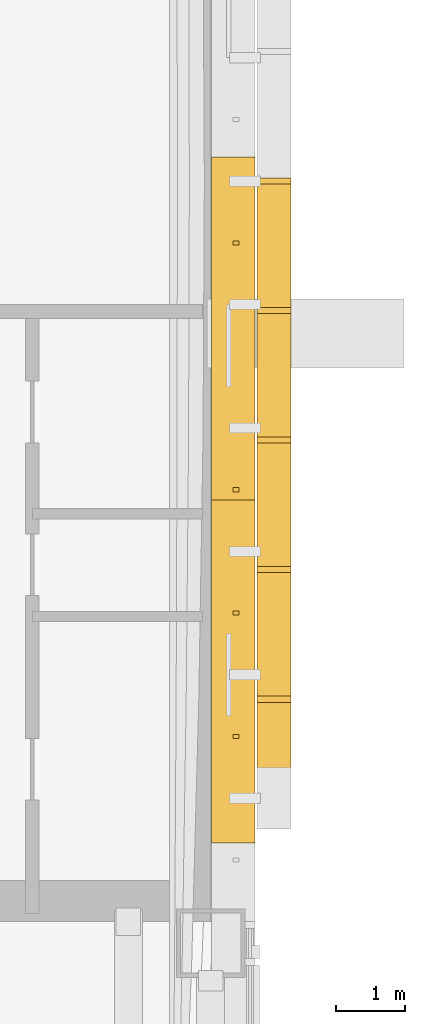
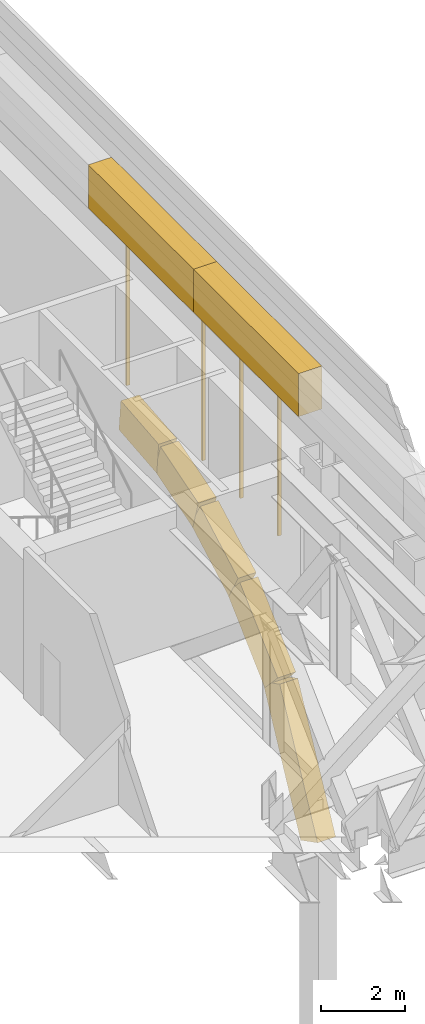
# One storey, part 29 of 39: 11 coverings.
"""IFC4 building model written with IfcOpenShell, lengths in metres."""

from ifc_helpers import new_model, si_unit, direction, frame, origin, origin_2d, place, context, subcontext, project, spatial, polyline, rectangle, outline, extrude, material, material_profile, profile_set, type_object, element, save


model = new_model("IFC4")

# Units and contexts
model_context = context("Model", 3, precision=1e-05, world=origin(), true_north=direction((0.0, 1.0)))
body_context = subcontext(model_context, "Body", "Model", "MODEL_VIEW")
ifc_project = project(units=[si_unit("LENGTHUNIT", "METRE"), si_unit("AREAUNIT", "SQUARE_METRE"), si_unit("VOLUMEUNIT", "CUBIC_METRE"), si_unit("PLANEANGLEUNIT", "RADIAN"), si_unit("MASSUNIT", "GRAM", prefix="KILO")], contexts=[model_context])

# Site, building, storey
site_placement = place(None, origin())
site = spatial("IfcSite", under=ifc_project, at=site_placement, CompositionType="ELEMENT")
building_placement = place(site_placement, origin())
building = spatial("IfcBuilding", under=site, at=building_placement, Name="Cobrizo Arcos Hotel Tower", CompositionType="ELEMENT")
storey_placement = place(building_placement, frame((0.0, 0.0, 84.5)))
storey = spatial("IfcBuildingStorey", under=building, at=storey_placement, Name="L20", CompositionType="ELEMENT", Elevation=84.5)

# Coverings
ifc_material = material(Name="Aluminium 6063-T6 anodised pale", Category="aluminium")
ifc_material_profile = material_profile(ifc_material, rectangle(XDim=0.5, YDim=0.89990234375, at=origin_2d()), Name="AF-2 core arch rim 500x900")
ifc_profile_set = profile_set([ifc_material_profile], Name="Aluminium 6063-T6 anodised pale")
covering_type_1 = type_object("IfcCoveringType", Name="AF-2 core arch rim 500x900", PredefinedType="CLADDING", material=ifc_profile_set)
covering_1_placement = place(storey_placement, frame((24.925048828125, -9.0, -8.460205078125), z_axis=(0.0, 0.455923660176, 0.890018885245), x_axis=(-1.0, 0.0, 0.0)))
element("IfcCovering", 1, at=covering_1_placement, inside=storey, type_object=covering_type_1, Name="Arch rim A E face", PredefinedType="CLADDING", context=body_context, shape_type="SweptSolid", body=[
    extrude(rectangle(XDim=0.5, YDim=0.89990234375, at=origin_2d()), origin(), (0.0, 0.0, 1.0), 3.9482421875),
])
covering_2_placement = place(storey_placement, frame((24.925048828125, -7.199951171875, -4.9462890625), z_axis=(0.0, 0.73088053178, 0.682505419952), x_axis=(-1.0, 0.0, 0.0)))
element("IfcCovering", 2, at=covering_2_placement, inside=storey, type_object=covering_type_1, Name="Arch rim A E face", PredefinedType="CLADDING", context=body_context, shape_type="SweptSolid", body=[
    extrude(rectangle(XDim=0.5, YDim=0.89990234375, at=origin_2d()), origin(), (0.0, 0.0, 1.0), 2.462890625),
])
covering_3_placement = place(storey_placement, frame((24.925048828125, -5.39990234375, -3.265380859375), z_axis=(0.0, 0.873832790044, 0.486226547037), x_axis=(-1.0, 0.0, 0.0)))
element("IfcCovering", 3, at=covering_3_placement, inside=storey, type_object=covering_type_1, Name="Arch rim A E face", PredefinedType="CLADDING", context=body_context, shape_type="SweptSolid", body=[
    extrude(rectangle(XDim=0.5, YDim=0.89990234375, at=origin_2d()), origin(), (0.0, 0.0, 1.0), 2.0595703125),
])
covering_4_placement = place(storey_placement, frame((24.925048828125, -3.60009765625, -2.263916015625), z_axis=(0.0, 0.956599999026, 0.291404258485), x_axis=(-1.0, 0.0, 0.0)))
element("IfcCovering", 4, at=covering_4_placement, inside=storey, type_object=covering_type_1, Name="Arch rim A E face", PredefinedType="CLADDING", context=body_context, shape_type="SweptSolid", body=[
    extrude(rectangle(XDim=0.5, YDim=0.89990234375, at=origin_2d()), origin(), (0.0, 0.0, 1.0), 1.8818359375),
])
covering_5_placement = place(storey_placement, frame((24.925048828125, -1.800048828125, -1.715576171875), z_axis=(0.0, 0.995278769418, 0.097057566148), x_axis=(-1.0, 0.0, 0.0)))
element("IfcCovering", 5, at=covering_5_placement, inside=storey, type_object=covering_type_1, Name="Arch rim A E face", PredefinedType="CLADDING", context=body_context, shape_type="SweptSolid", body=[
    extrude(rectangle(XDim=0.5, YDim=0.89990234375, at=origin_2d()), origin(), (0.0, 0.0, 1.0), 1.80859375),
])
covering_type_2 = type_object("IfcCoveringType", Name="LF-1 setback skirt", PredefinedType="CLADDING", material=ifc_material)
covering_6_placement = place(storey_placement, frame((0.0, 0.0, 4.5)))
element("IfcCovering", 6, at=covering_6_placement, inside=storey, type_object=covering_type_2, Name="Setback skirt L20", PredefinedType="CLADDING", context=body_context, shape_type="SweptSolid", body=[
    extrude(outline(polyline([(24.64990234375, -9.64990234375), (24.64990234375, -4.64990234375), (24.010009765625, -4.64990234375), (24.010009765625, -9.64990234375), (24.64990234375, -9.64990234375)])), origin(), (0.0, 0.0, 1.0), 1.25),
])
covering_7_placement = place(storey_placement, frame((0.0, 0.0, 4.5)))
element("IfcCovering", 7, at=covering_7_placement, inside=storey, type_object=covering_type_2, Name="Setback skirt L20", PredefinedType="CLADDING", context=body_context, shape_type="SweptSolid", body=[
    extrude(outline(polyline([(24.64990234375, -4.64990234375), (24.64990234375, 0.35009765625), (24.010009765625, 0.35009765625), (24.010009765625, -4.64990234375), (24.64990234375, -4.64990234375)])), origin(), (0.0, 0.0, 1.0), 1.25),
])
covering_type_3 = type_object("IfcCoveringType", Name="RS-1 rainscreen rib 60x90", PredefinedType="CLADDING", material=ifc_material)
for number, where, z_axis, x_axis, name in (
    (8, (24.3701171875, -8.10009765625, 0.0), (0.0, 0.0, 1.0), (0.0, 1.0, 0.0), "Rainscreen rib 22"),
    (9, (24.3701171875, -6.300048828125, 0.0), (0.0, 0.0, 1.0), (0.0, 1.0, 0.0), "Rainscreen rib 23"),
    (10, (24.3701171875, -4.5, 0.0), (0.0, 0.0, 1.0), (0.0, 1.0, 0.0), "Rainscreen rib 24"),
    (11, (24.3701171875, -0.89990234375, 0.0), (0.0, 0.0, 1.0), (0.0, 1.0, 0.0), "Rainscreen rib 25"),
):
    element("IfcCovering", number, at=place(storey_placement, frame(where, z_axis=z_axis, x_axis=x_axis)), inside=storey, type_object=covering_type_3, Name=name, PredefinedType="CLADDING", context=body_context, shape_type="SweptSolid", body=[
        extrude(rectangle(XDim=0.06005859375, YDim=0.090087890625, at=origin_2d()), origin(), (0.0, 0.0, 1.0), 4.5),
    ])

save(model, "model.ifc")
